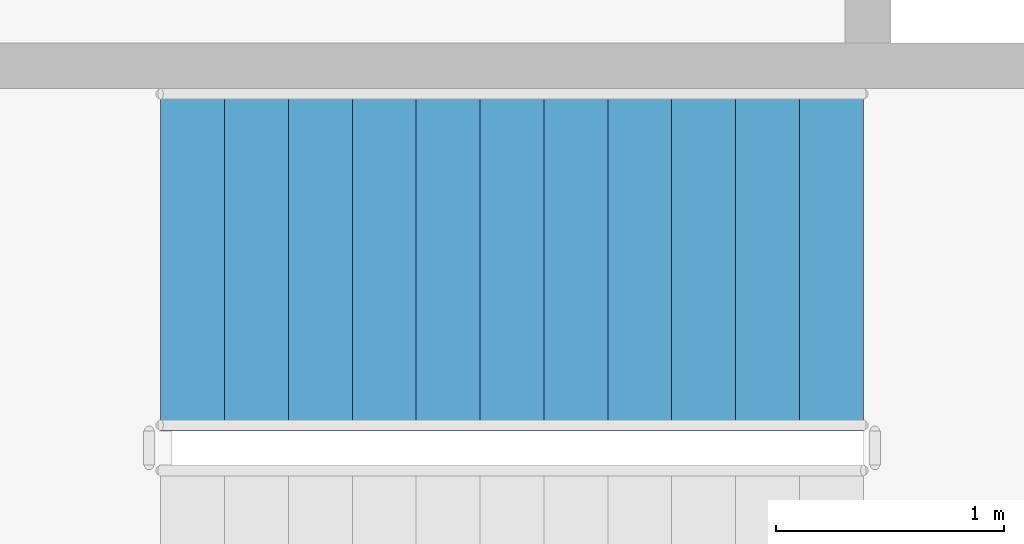
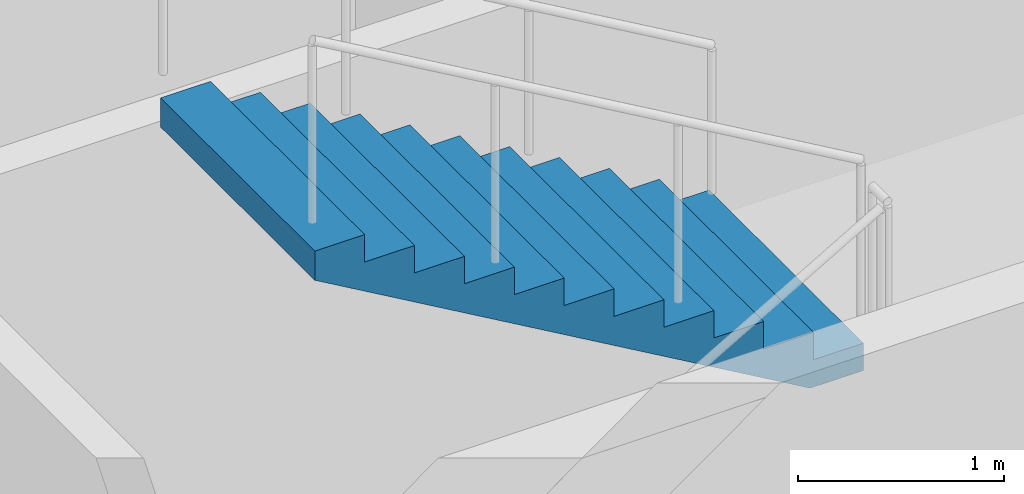
# One storey, part 80 of 95: 1 stair flight, 1 element without a shape of its own.
"""IFC4 building model written with IfcOpenShell, lengths in metres."""

import ifcopenshell
import ifcopenshell.guid

model = None  # the IFC model being written
_history = None  # IfcOwnerHistory: only IFC2X3 demands one
_inside = {}  # id of a spatial element -> (the spatial element, [elements in it])
_under = {}  # id of a project, library or spatial element -> (it, [spatial elements below it])
_declared = {}  # id of a project -> (the project, [libraries it declares])
_typed = {}  # id of a type object -> (the type object, [elements of that type])
_made_of = {}  # id of a material, layer set ... -> (it, [elements and type objects made of it])


def new_model(schema):
    """Start an empty IFC model of exactly this schema.

    Asked for "IFC4X3", IfcOpenShell would pick the latest addendum, in which some entities
    have other attributes; the version numbers below select the first issue.
    IFC2X3 requires an IfcOwnerHistory on every rooted entity: one is made here for all.
    """
    global model, _history
    if schema == "IFC4X3":
        model = ifcopenshell.file(schema_version=(4, 3, 0, 0))
    else:
        model = ifcopenshell.file(schema=schema)
    _inside.clear()
    _under.clear()
    _declared.clear()
    _typed.clear()
    _made_of.clear()
    _history = None
    if model.schema == "IFC2X3":
        org = make("IfcOrganization", Name="unknown")
        user = make(
            "IfcPersonAndOrganization",
            ThePerson=make("IfcPerson", FamilyName="unknown"),
            TheOrganization=org,
        )
        app = make(
            "IfcApplication",
            ApplicationDeveloper=org,
            Version="unknown",
            ApplicationFullName="unknown",
            ApplicationIdentifier="unknown",
        )
        _history = make(
            "IfcOwnerHistory",
            OwningUser=user,
            OwningApplication=app,
            ChangeAction="ADDED",
            CreationDate=0,
        )
    return model


def make(cls, **values):
    """One entity of the class cls with the attributes given. An attribute that is None is left unset."""
    return model.create_entity(
        cls, **{name: value for name, value in values.items() if value is not None}
    )


def rooted(cls, **values):
    """An entity with a GlobalId (a new one), such as an element, a storey or a relation."""
    return make(cls, GlobalId=ifcopenshell.guid.new(), OwnerHistory=_history, **values)


def si_unit(unit_type, name, prefix=None):
    """IfcSIUnit, for example si_unit("LENGTHUNIT", "METRE", prefix="MILLI")."""
    return make("IfcSIUnit", UnitType=unit_type, Prefix=prefix, Name=name)


def assignment(units):
    """IfcUnitAssignment: the units of a project."""
    return None if units is None else make("IfcUnitAssignment", Units=units)


def point(xyz):
    """IfcCartesianPoint."""
    return None if xyz is None else make("IfcCartesianPoint", Coordinates=xyz)


def direction(xyz):
    """IfcDirection."""
    return None if xyz is None else make("IfcDirection", DirectionRatios=xyz)


def frame(location, z_axis=None, x_axis=None):
    """IfcAxis2Placement3D, a coordinate frame: its origin and axes. An axis left out is left unset."""
    return make(
        "IfcAxis2Placement3D",
        Location=point(location),
        Axis=direction(z_axis),
        RefDirection=direction(x_axis),
    )


def origin():
    """The frame at (0, 0, 0) with its axes left unset."""
    return frame((0.0, 0.0, 0.0))


def place(relative_to, where):
    """IfcLocalPlacement: puts the frame where relative to a parent placement (None: the world)."""
    return make(
        "IfcLocalPlacement", PlacementRelTo=relative_to, RelativePlacement=where
    )


def context(
    kind, dimensions, precision=None, world=None, true_north=None, identifier=None
):
    """IfcGeometricRepresentationContext, for example the 3D "Model" context."""
    return make(
        "IfcGeometricRepresentationContext",
        ContextIdentifier=identifier,
        ContextType=kind,
        CoordinateSpaceDimension=dimensions,
        Precision=precision,
        WorldCoordinateSystem=world,
        TrueNorth=true_north,
    )


def subcontext(parent, identifier, kind, view, scale=None):
    """IfcGeometricRepresentationSubContext, for example "Body" below "Model"."""
    return make(
        "IfcGeometricRepresentationSubContext",
        ContextIdentifier=identifier,
        ContextType=kind,
        ParentContext=parent,
        TargetScale=scale,
        TargetView=view,
    )


def project(units=None, contexts=None):
    """IfcProject with its units and contexts."""
    return rooted(
        "IfcProject",
        Name="project",
        RepresentationContexts=contexts,
        UnitsInContext=assignment(units),
    )


def spatial(cls, under=None, at=None, **own):
    """A site, building, storey or space (cls), placed at a placement, below another one or the project."""
    s = rooted(cls, ObjectPlacement=at, **own)
    if under is not None:
        _under.setdefault(under.id(), (under, []))[1].append(s)
    return s


def point_list(points):
    """IfcCartesianPointList2D or 3D."""
    cls = (
        "IfcCartesianPointList2D" if len(points[0]) == 2 else "IfcCartesianPointList3D"
    )
    return make(cls, CoordList=points)


def triangles(points, corners, closed=None, point_numbers=None):
    """IfcTriangulatedFaceSet: each triangle names its three corners, points numbered from 1."""
    return make(
        "IfcTriangulatedFaceSet",
        Coordinates=point_list(points),
        Closed=closed,
        CoordIndex=corners,
        PnIndex=point_numbers,
    )


def shape(context_of_items, identifier, shape_type, items):
    """IfcShapeRepresentation: the items that make up one representation, for example the "Body"."""
    return make(
        "IfcShapeRepresentation",
        ContextOfItems=context_of_items,
        RepresentationIdentifier=identifier,
        RepresentationType=shape_type,
        Items=items,
    )


def material(Name=None, Category=None):
    """IfcMaterial."""
    return make("IfcMaterial", Name=Name, Category=Category)


def made_of(thing, what):
    """Note that an element or type object is made of a material, layer set ...; save() writes the relation."""
    if what is not None:
        _made_of.setdefault(what.id(), (what, []))[1].append(thing)
    return thing


def type_object(cls, material=None, **own):
    """A type object (cls), such as IfcWallType, which elements share."""
    return made_of(rooted(cls, **own), material)


def element(
    cls,
    number,
    at=None,
    inside=None,
    cuts=None,
    type_object=None,
    material=None,
    context=None,
    identifier="Body",
    shape_type=None,
    held_by="IfcProductDefinitionShape",
    body=None,
    shapes=None,
    **own,
):
    """One element of the class cls, such as IfcWall. Its Tag is "e" and its number.

    at: its placement. inside: the storey or other place that contains it. cuts: it is an
    opening in that element (IfcRelVoidsElement). A single representation is given by context,
    identifier, shape_type and body (its items); several are given by shapes. held_by: the class
    of the entity that holds the representations. save() writes the other relations.
    """
    e = rooted(cls, Tag="e%d" % number, ObjectPlacement=at, **own)
    if body is not None:
        shapes = [shape(context, identifier, shape_type, body)]
    if shapes is not None:
        e.Representation = make(held_by, Representations=shapes)
    if inside is not None:
        _inside.setdefault(inside.id(), (inside, []))[1].append(e)
    if cuts is not None:
        rooted(
            "IfcRelVoidsElement", RelatingBuildingElement=cuts, RelatedOpeningElement=e
        )
    if type_object is not None:
        _typed.setdefault(type_object.id(), (type_object, []))[1].append(e)
    return made_of(e, material)


def aggregate(whole, parts):
    """IfcRelAggregates: a whole, such as a stair, and the parts it consists of."""
    return rooted("IfcRelAggregates", RelatingObject=whole, RelatedObjects=parts)


def save(model, path):
    """Write the relations noted so far, then the file.

    IfcRelAggregates (storeys below a building ...), IfcRelContainedInSpatialStructure (elements
    in a storey), IfcRelDefinesByType, IfcRelAssociatesMaterial and IfcRelDeclares: one each for
    every whole, place, type object, material and project.
    """
    for whole, parts in _under.values():
        aggregate(whole, parts)
    for where, things in _inside.values():
        rooted(
            "IfcRelContainedInSpatialStructure",
            RelatedElements=things,
            RelatingStructure=where,
        )
    for kind, things in _typed.values():
        rooted("IfcRelDefinesByType", RelatedObjects=things, RelatingType=kind)
    for what, things in _made_of.values():
        rooted("IfcRelAssociatesMaterial", RelatedObjects=things, RelatingMaterial=what)
    for by, libraries in _declared.values():
        rooted("IfcRelDeclares", RelatingContext=by, RelatedDefinitions=libraries)
    model.write(path)


model = new_model("IFC4")

# Units and contexts
model_context = context("Model", 3, precision=1e-05, world=origin(), true_north=direction((0.0, 1.0)))
body_context = subcontext(model_context, "Body", "Model", "MODEL_VIEW")
ifc_project = project(units=[si_unit("LENGTHUNIT", "METRE"), si_unit("AREAUNIT", "SQUARE_METRE"), si_unit("VOLUMEUNIT", "CUBIC_METRE"), si_unit("PLANEANGLEUNIT", "RADIAN"), si_unit("MASSUNIT", "GRAM", prefix="KILO")], contexts=[model_context])

# Site, building, storey
site_placement = place(None, origin())
site = spatial("IfcSite", under=ifc_project, at=site_placement, CompositionType="ELEMENT")
building_placement = place(site_placement, origin())
building = spatial("IfcBuilding", under=site, at=building_placement, Name="Magnolia Steps Interchange", CompositionType="ELEMENT")
storey_placement = place(building_placement, frame((0.0, 0.0, 4.800048828125)))
storey = spatial("IfcBuildingStorey", under=building, at=storey_placement, Name="L01", CompositionType="ELEMENT", Elevation=4.800048828125)

# Stair, stair flight
ifc_material_1 = material(Name="Concrete C40", Category="concrete")
stair_type = type_object("IfcStairType", Name="Exit stair 1500", PredefinedType="HALF_TURN_STAIR", material=ifc_material_1)
stair_placement = place(storey_placement, origin())
stair = element("IfcStair", 1, at=stair_placement, inside=storey, type_object=stair_type, Name="L01 Stair 4", PredefinedType="HALF_TURN_STAIR")
ifc_material_2 = material(Name="Concrete C40", Category="concrete")
stair_flight_type = type_object("IfcStairFlightType", Name="Exit stair flight", PredefinedType="STRAIGHT", material=ifc_material_2)
stair_flight_placement = place(storey_placement, frame((115.280029296875, 77.699951171875, 1.949951171875), z_axis=(0.0, 0.0, 1.0), x_axis=(-1.0, 0.0, 0.0)))
stair_flight = element("IfcStairFlight", 2, at=stair_flight_placement, type_object=stair_flight_type, Name="Stair 4 flight 2", NumberOfRisers=12, NumberOfTreads=11, PredefinedType="STRAIGHT", RiserHeight=0.1625, TreadLength=0.28, context=body_context, shape_type="Tessellation", body=[
    triangles([(0.0, -0.75, 0.0), (0.298583984375, -0.75, 0.0), (3.080078125, -0.75, 1.6142578125), (3.080078125, -0.75, 1.78759765625), (2.800048828125, -0.75, 1.78759765625), (2.800048828125, -0.75, 1.625), (2.52001953125, -0.75, 1.625), (2.52001953125, -0.75, 1.46240234375), (2.239990234375, -0.75, 1.46240234375), (2.239990234375, -0.75, 1.300048828125), (1.9599609375, -0.75, 1.300048828125), (1.9599609375, -0.75, 1.137451171875), (1.679931640625, -0.75, 1.137451171875), (1.679931640625, -0.75, 0.97509765625), (1.39990234375, -0.75, 0.97509765625), (1.39990234375, -0.75, 0.8125), (1.1201171875, -0.75, 0.8125), (1.1201171875, -0.75, 0.64990234375), (0.840087890625, -0.75, 0.64990234375), (0.840087890625, -0.75, 0.487548828125), (0.56005859375, -0.75, 0.487548828125), (0.56005859375, -0.75, 0.324951171875), (0.280029296875, -0.75, 0.324951171875), (0.280029296875, -0.75, 0.16259765625), (0.0, -0.75, 0.16259765625), (0.0, 0.75, 0.0), (0.298583984375, 0.75, 0.0), (3.080078125, 0.75, 1.6142578125), (3.080078125, 0.75, 1.78759765625), (2.800048828125, 0.75, 1.78759765625), (2.800048828125, 0.75, 1.625), (2.52001953125, 0.75, 1.625), (2.52001953125, 0.75, 1.46240234375), (2.239990234375, 0.75, 1.46240234375), (2.239990234375, 0.75, 1.300048828125), (1.9599609375, 0.75, 1.300048828125), (1.9599609375, 0.75, 1.137451171875), (1.679931640625, 0.75, 1.137451171875), (1.679931640625, 0.75, 0.97509765625), (1.39990234375, 0.75, 0.97509765625), (1.39990234375, 0.75, 0.8125), (1.1201171875, 0.75, 0.8125), (1.1201171875, 0.75, 0.64990234375), (0.840087890625, 0.75, 0.64990234375), (0.840087890625, 0.75, 0.487548828125), (0.56005859375, 0.75, 0.487548828125), (0.56005859375, 0.75, 0.324951171875), (0.280029296875, 0.75, 0.324951171875), (0.280029296875, 0.75, 0.16259765625), (0.0, 0.75, 0.16259765625), (0.0, 0.0, 0.0), (0.0, 0.0, 0.0406494140625), (0.0, 0.0, 0.081298828125), (0.0, 0.0, 0.1219482421875), (0.0, 0.0, 0.16259765625), (0.0, -0.05, 0.0), (0.0, -0.05, 0.16259765625), (0.0, 0.05, 0.0), (0.0, 0.05, 0.16259765625), (0.046671549479166664, 0.0, 0.16259765625), (0.09334309895833333, 0.0, 0.16259765625), (0.1400146484375, 0.0, 0.16259765625), (0.18668619791666666, 0.0, 0.16259765625), (0.23335774739583334, 0.0, 0.16259765625), (0.280029296875, 0.0, 0.16259765625), (0.280029296875, -0.05, 0.16259765625), (0.280029296875, 0.05, 0.16259765625), (0.280029296875, 0.0, 0.20318603515625), (0.280029296875, 0.0, 0.2437744140625), (0.280029296875, 0.0, 0.28436279296875), (0.280029296875, 0.0, 0.324951171875), (0.280029296875, -0.05, 0.324951171875), (0.280029296875, 0.05, 0.324951171875), (0.3267008463541667, 0.0, 0.324951171875), (0.3733723958333333, 0.0, 0.324951171875), (0.4200439453125, 0.0, 0.324951171875), (0.46671549479166663, 0.0, 0.324951171875), (0.5133870442708334, 0.0, 0.324951171875), (0.56005859375, 0.0, 0.324951171875), (0.56005859375, -0.05, 0.324951171875), (0.56005859375, 0.05, 0.324951171875), (0.56005859375, 0.0, 0.3656005859375), (0.56005859375, 0.0, 0.40625), (0.56005859375, 0.0, 0.4468994140625), (0.56005859375, 0.0, 0.487548828125), (0.56005859375, -0.05, 0.487548828125), (0.56005859375, 0.05, 0.487548828125), (0.6067301432291666, 0.0, 0.487548828125), (0.6534016927083334, 0.0, 0.487548828125), (0.7000732421875, 0.0, 0.487548828125), (0.7467447916666666, 0.0, 0.487548828125), (0.7934163411458334, 0.0, 0.487548828125), (0.840087890625, 0.0, 0.487548828125), (0.840087890625, -0.05, 0.487548828125), (0.840087890625, 0.05, 0.487548828125), (0.840087890625, 0.0, 0.52813720703125), (0.840087890625, 0.0, 0.5687255859375), (0.840087890625, 0.0, 0.60931396484375), (0.840087890625, 0.0, 0.64990234375), (0.840087890625, -0.05, 0.64990234375), (0.840087890625, 0.05, 0.64990234375), (0.8867594401041666, 0.0, 0.64990234375), (0.9334309895833334, 0.0, 0.64990234375), (0.9801025390625, 0.0, 0.64990234375), (1.0267740885416667, 0.0, 0.64990234375), (1.0734456380208333, 0.0, 0.64990234375), (1.1201171875, 0.0, 0.64990234375), (1.1201171875, -0.05, 0.64990234375), (1.1201171875, 0.05, 0.64990234375), (1.1201171875, 0.0, 0.6905517578125), (1.1201171875, 0.0, 0.731201171875), (1.1201171875, 0.0, 0.7718505859375), (1.1201171875, 0.0, 0.8125), (1.1201171875, -0.05, 0.8125), (1.1201171875, 0.05, 0.8125), (1.1900634765625, 0.0, 0.8125), (1.260009765625, 0.0, 0.8125), (1.3299560546875, 0.0, 0.8125), (1.39990234375, 0.0, 0.8125), (1.39990234375, -0.05, 0.8125), (1.39990234375, 0.05, 0.8125), (1.39990234375, 0.0, 0.8531494140625), (1.39990234375, 0.0, 0.893798828125), (1.39990234375, 0.0, 0.9344482421875), (1.39990234375, 0.0, 0.97509765625), (1.39990234375, -0.05, 0.97509765625), (1.39990234375, 0.05, 0.97509765625), (1.4465738932291667, 0.0, 0.97509765625), (1.4932454427083333, 0.0, 0.97509765625), (1.5399169921875, 0.0, 0.97509765625), (1.5865885416666667, 0.0, 0.97509765625), (1.6332600911458333, 0.0, 0.97509765625), (1.679931640625, 0.0, 0.97509765625), (1.679931640625, -0.05, 0.97509765625), (1.679931640625, 0.05, 0.97509765625), (1.679931640625, 0.0, 1.01568603515625), (1.679931640625, 0.0, 1.0562744140625), (1.679931640625, 0.0, 1.09686279296875), (1.679931640625, 0.0, 1.137451171875), (1.679931640625, -0.05, 1.137451171875), (1.679931640625, 0.05, 1.137451171875), (1.7266031901041667, 0.0, 1.137451171875), (1.7732747395833333, 0.0, 1.137451171875), (1.8199462890625, 0.0, 1.137451171875), (1.8666178385416667, 0.0, 1.137451171875), (1.9132893880208333, 0.0, 1.137451171875), (1.9599609375, 0.0, 1.137451171875), (1.9599609375, -0.05, 1.137451171875), (1.9599609375, 0.05, 1.137451171875), (1.9599609375, 0.0, 1.1781005859375), (1.9599609375, 0.0, 1.21875), (1.9599609375, 0.0, 1.2593994140625), (1.9599609375, 0.0, 1.300048828125), (1.9599609375, -0.05, 1.300048828125), (1.9599609375, 0.05, 1.300048828125), (2.0066324869791665, 0.0, 1.300048828125), (2.0533040364583335, 0.0, 1.300048828125), (2.0999755859375, 0.0, 1.300048828125), (2.1466471354166665, 0.0, 1.300048828125), (2.1933186848958335, 0.0, 1.300048828125), (2.239990234375, 0.0, 1.300048828125), (2.239990234375, -0.05, 1.300048828125), (2.239990234375, 0.05, 1.300048828125), (2.239990234375, 0.0, 1.34063720703125), (2.239990234375, 0.0, 1.3812255859375), (2.239990234375, 0.0, 1.42181396484375), (2.239990234375, 0.0, 1.46240234375), (2.239990234375, -0.05, 1.46240234375), (2.239990234375, 0.05, 1.46240234375), (2.2866617838541665, 0.0, 1.46240234375), (2.3333333333333335, 0.0, 1.46240234375), (2.3800048828125, 0.0, 1.46240234375), (2.4266764322916665, 0.0, 1.46240234375), (2.4733479817708335, 0.0, 1.46240234375), (2.52001953125, 0.0, 1.46240234375), (2.52001953125, -0.05, 1.46240234375), (2.52001953125, 0.05, 1.46240234375), (2.52001953125, 0.0, 1.5030517578125), (2.52001953125, 0.0, 1.543701171875), (2.52001953125, 0.0, 1.5843505859375), (2.52001953125, 0.0, 1.625), (2.52001953125, -0.05, 1.625), (2.52001953125, 0.05, 1.625), (2.5666910807291665, 0.0, 1.625), (2.6133626302083335, 0.0, 1.625), (2.6600341796875, 0.0, 1.625), (2.7067057291666665, 0.0, 1.625), (2.7533772786458335, 0.0, 1.625), (2.800048828125, 0.0, 1.625), (2.800048828125, -0.05, 1.625), (2.800048828125, 0.05, 1.625), (2.800048828125, 0.0, 1.6656494140625), (2.800048828125, 0.0, 1.706298828125), (2.800048828125, 0.0, 1.7469482421875), (2.800048828125, 0.0, 1.78759765625), (2.800048828125, -0.05, 1.78759765625), (2.800048828125, 0.05, 1.78759765625), (2.8467203776041665, 0.0, 1.78759765625), (2.8933919270833335, 0.0, 1.78759765625), (2.9400634765625, 0.0, 1.78759765625), (2.9867350260416665, 0.0, 1.78759765625), (3.0334065755208335, 0.0, 1.78759765625), (3.080078125, 0.0, 1.78759765625), (3.080078125, -0.05, 1.78759765625), (3.080078125, 0.05, 1.78759765625), (3.080078125, 0.0, 1.7442626953125), (3.080078125, 0.0, 1.700927734375), (3.080078125, 0.0, 1.6575927734375), (3.080078125, 0.0, 1.6142578125), (3.080078125, -0.05, 1.6142578125), (3.080078125, 0.05, 1.6142578125), (3.0196108610733696, 0.0, 1.5791652513586956), (2.9591435971467392, 0.0, 1.5440726902173914), (2.898676333220109, 0.0, 1.508980129076087), (2.8382090692934785, 0.0, 1.4738875679347827), (2.7777418053668477, 0.0, 1.4387950067934783), (2.7172745414402173, 0.0, 1.4037024456521738), (2.656807277513587, 0.0, 1.3686098845108696), (2.5963400135869565, 0.0, 1.3335173233695652), (2.535872749660326, 0.0, 1.2984247622282608), (2.475405485733696, 0.0, 1.2633322010869565), (2.4149382218070654, 0.0, 1.228239639945652), (2.3544709578804346, 0.0, 1.193147078804348), (2.294003693953804, 0.0, 1.1580545176630435), (2.233536430027174, 0.0, 1.1229619565217392), (2.1730691661005435, 0.0, 1.0878693953804348), (2.112601902173913, 0.0, 1.0527768342391304), (2.0521346382472827, 0.0, 1.0176842730978262), (1.991667374320652, 0.0, 0.9825917119565217), (1.9312001103940217, 0.0, 0.9474991508152174), (1.8707328464673914, 0.0, 0.9124065896739131), (1.810265582540761, 0.0, 0.8773140285326086), (1.7497983186141304, 0.0, 0.8422214673913043), (1.6893310546875, 0.0, 0.80712890625), (1.6288637907608696, 0.0, 0.7720363451086957), (1.568396526834239, 0.0, 0.7369437839673914), (1.5079292629076086, 0.0, 0.7018512228260869), (1.4474619989809783, 0.0, 0.6667586616847826), (1.386994735054348, 0.0, 0.6316661005434783), (1.3265274711277173, 0.0, 0.5965735394021738), (1.266060207201087, 0.0, 0.5614809782608696), (1.2055929432744565, 0.0, 0.5263884171195652), (1.1451256793478262, 0.0, 0.491295855978261), (1.0846584154211956, 0.0, 0.45620329483695654), (1.0241911514945654, 0.0, 0.4211107336956521), (0.9637238875679346, 0.0, 0.3860181725543479), (0.9032566236413042, 0.0, 0.35092561141304346), (0.8427893597146738, 0.0, 0.315833050271739), (0.7823220957880435, 0.0, 0.2807404891304348), (0.7218548318614131, 0.0, 0.24564792798913038), (0.6613875679347827, 0.0, 0.21055536684782616), (0.6009203040081523, 0.0, 0.17546280570652173), (0.540453040081522, 0.0, 0.1403702445652173), (0.47998577615489113, 0.0, 0.10527768342391308), (0.41951851222826075, 0.0, 0.07018512228260865), (0.3590512483016304, 0.0, 0.035092561141304435), (0.298583984375, 0.0, 0.0), (0.298583984375, -0.05, 0.0), (0.298583984375, 0.05, 0.0), (0.24881998697916666, 0.0, 0.0), (0.19905598958333331, 0.0, 0.0), (0.1492919921875, 0.0, 0.0), (0.09952799479166666, 0.0, 0.0), (0.04976399739583334, 0.0, 0.0)], [[1, 2, 3], [3, 4, 5], [3, 5, 6], [3, 6, 7], [3, 7, 8], [8, 9, 10], [3, 8, 10], [10, 11, 12], [3, 10, 12], [12, 13, 14], [3, 12, 14], [14, 15, 16], [3, 14, 16], [16, 17, 18], [3, 16, 18], [18, 19, 20], [3, 18, 20], [20, 21, 22], [3, 20, 22], [1, 3, 22], [22, 23, 24], [1, 22, 24], [24, 25, 1], [26, 28, 27], [28, 30, 29], [28, 31, 30], [28, 32, 31], [28, 33, 32], [33, 35, 34], [28, 35, 33], [35, 37, 36], [28, 37, 35], [37, 39, 38], [28, 39, 37], [39, 41, 40], [28, 41, 39], [41, 43, 42], [28, 43, 41], [43, 45, 44], [28, 45, 43], [45, 47, 46], [28, 47, 45], [26, 47, 28], [47, 49, 48], [26, 49, 47], [49, 26, 50], [1, 25, 57], [1, 57, 56], [56, 52, 51], [56, 53, 52], [56, 57, 53], [57, 54, 53], [57, 55, 54], [26, 59, 50], [26, 58, 59], [58, 51, 52], [58, 52, 53], [58, 53, 59], [59, 53, 54], [59, 54, 55], [25, 24, 66], [25, 66, 57], [57, 60, 55], [57, 61, 60], [57, 62, 61], [57, 66, 62], [66, 63, 62], [66, 64, 63], [66, 65, 64], [50, 67, 49], [50, 59, 67], [59, 55, 60], [59, 60, 61], [59, 61, 62], [59, 62, 67], [67, 62, 63], [67, 63, 64], [67, 64, 65], [24, 23, 72], [24, 72, 66], [66, 68, 65], [66, 69, 68], [66, 72, 69], [72, 70, 69], [72, 71, 70], [49, 73, 48], [49, 67, 73], [67, 65, 68], [67, 68, 69], [67, 69, 73], [73, 69, 70], [73, 70, 71], [23, 22, 80], [23, 80, 72], [72, 74, 71], [72, 75, 74], [72, 76, 75], [72, 80, 76], [80, 77, 76], [80, 78, 77], [80, 79, 78], [48, 81, 47], [48, 73, 81], [73, 71, 74], [73, 74, 75], [73, 75, 76], [73, 76, 81], [81, 76, 77], [81, 77, 78], [81, 78, 79], [22, 21, 86], [22, 86, 80], [80, 82, 79], [80, 83, 82], [80, 86, 83], [86, 84, 83], [86, 85, 84], [47, 87, 46], [47, 81, 87], [81, 79, 82], [81, 82, 83], [81, 83, 87], [87, 83, 84], [87, 84, 85], [21, 20, 94], [21, 94, 86], [86, 88, 85], [86, 89, 88], [86, 90, 89], [86, 94, 90], [94, 91, 90], [94, 92, 91], [94, 93, 92], [46, 95, 45], [46, 87, 95], [87, 85, 88], [87, 88, 89], [87, 89, 90], [87, 90, 95], [95, 90, 91], [95, 91, 92], [95, 92, 93], [20, 19, 100], [20, 100, 94], [94, 96, 93], [94, 97, 96], [94, 100, 97], [100, 98, 97], [100, 99, 98], [45, 101, 44], [45, 95, 101], [95, 93, 96], [95, 96, 97], [95, 97, 101], [101, 97, 98], [101, 98, 99], [19, 18, 108], [19, 108, 100], [100, 102, 99], [100, 103, 102], [100, 104, 103], [100, 108, 104], [108, 105, 104], [108, 106, 105], [108, 107, 106], [44, 109, 43], [44, 101, 109], [101, 99, 102], [101, 102, 103], [101, 103, 104], [101, 104, 109], [109, 104, 105], [109, 105, 106], [109, 106, 107], [18, 17, 114], [18, 114, 108], [108, 110, 107], [108, 111, 110], [108, 114, 111], [114, 112, 111], [114, 113, 112], [43, 115, 42], [43, 109, 115], [109, 107, 110], [109, 110, 111], [109, 111, 115], [115, 111, 112], [115, 112, 113], [17, 16, 120], [17, 120, 114], [114, 116, 113], [114, 117, 116], [114, 120, 117], [120, 118, 117], [120, 119, 118], [42, 121, 41], [42, 115, 121], [115, 113, 116], [115, 116, 117], [115, 117, 121], [121, 117, 118], [121, 118, 119], [16, 15, 126], [16, 126, 120], [120, 122, 119], [120, 123, 122], [120, 126, 123], [126, 124, 123], [126, 125, 124], [41, 127, 40], [41, 121, 127], [121, 119, 122], [121, 122, 123], [121, 123, 127], [127, 123, 124], [127, 124, 125], [15, 14, 134], [15, 134, 126], [126, 128, 125], [126, 129, 128], [126, 130, 129], [126, 134, 130], [134, 131, 130], [134, 132, 131], [134, 133, 132], [40, 135, 39], [40, 127, 135], [127, 125, 128], [127, 128, 129], [127, 129, 130], [127, 130, 135], [135, 130, 131], [135, 131, 132], [135, 132, 133], [14, 13, 140], [14, 140, 134], [134, 136, 133], [134, 137, 136], [134, 140, 137], [140, 138, 137], [140, 139, 138], [39, 141, 38], [39, 135, 141], [135, 133, 136], [135, 136, 137], [135, 137, 141], [141, 137, 138], [141, 138, 139], [13, 12, 148], [13, 148, 140], [140, 142, 139], [140, 143, 142], [140, 144, 143], [140, 148, 144], [148, 145, 144], [148, 146, 145], [148, 147, 146], [38, 149, 37], [38, 141, 149], [141, 139, 142], [141, 142, 143], [141, 143, 144], [141, 144, 149], [149, 144, 145], [149, 145, 146], [149, 146, 147], [12, 11, 154], [12, 154, 148], [148, 150, 147], [148, 151, 150], [148, 154, 151], [154, 152, 151], [154, 153, 152], [37, 155, 36], [37, 149, 155], [149, 147, 150], [149, 150, 151], [149, 151, 155], [155, 151, 152], [155, 152, 153], [11, 10, 162], [11, 162, 154], [154, 156, 153], [154, 157, 156], [154, 158, 157], [154, 162, 158], [162, 159, 158], [162, 160, 159], [162, 161, 160], [36, 163, 35], [36, 155, 163], [155, 153, 156], [155, 156, 157], [155, 157, 158], [155, 158, 163], [163, 158, 159], [163, 159, 160], [163, 160, 161], [10, 9, 168], [10, 168, 162], [162, 164, 161], [162, 165, 164], [162, 168, 165], [168, 166, 165], [168, 167, 166], [35, 169, 34], [35, 163, 169], [163, 161, 164], [163, 164, 165], [163, 165, 169], [169, 165, 166], [169, 166, 167], [9, 8, 176], [9, 176, 168], [168, 170, 167], [168, 171, 170], [168, 172, 171], [168, 176, 172], [176, 173, 172], [176, 174, 173], [176, 175, 174], [34, 177, 33], [34, 169, 177], [169, 167, 170], [169, 170, 171], [169, 171, 172], [169, 172, 177], [177, 172, 173], [177, 173, 174], [177, 174, 175], [8, 7, 182], [8, 182, 176], [176, 178, 175], [176, 179, 178], [176, 182, 179], [182, 180, 179], [182, 181, 180], [33, 183, 32], [33, 177, 183], [177, 175, 178], [177, 178, 179], [177, 179, 183], [183, 179, 180], [183, 180, 181], [7, 6, 190], [7, 190, 182], [182, 184, 181], [182, 185, 184], [182, 186, 185], [182, 190, 186], [190, 187, 186], [190, 188, 187], [190, 189, 188], [32, 191, 31], [32, 183, 191], [183, 181, 184], [183, 184, 185], [183, 185, 186], [183, 186, 191], [191, 186, 187], [191, 187, 188], [191, 188, 189], [6, 5, 196], [6, 196, 190], [190, 192, 189], [190, 193, 192], [190, 196, 193], [196, 194, 193], [196, 195, 194], [31, 197, 30], [31, 191, 197], [191, 189, 192], [191, 192, 193], [191, 193, 197], [197, 193, 194], [197, 194, 195], [5, 4, 204], [5, 204, 196], [196, 198, 195], [196, 199, 198], [196, 200, 199], [196, 204, 200], [204, 201, 200], [204, 202, 201], [204, 203, 202], [30, 205, 29], [30, 197, 205], [197, 195, 198], [197, 198, 199], [197, 199, 200], [197, 200, 205], [205, 200, 201], [205, 201, 202], [205, 202, 203], [4, 3, 210], [4, 210, 204], [204, 206, 203], [204, 207, 206], [204, 210, 207], [210, 208, 207], [210, 209, 208], [29, 211, 28], [29, 205, 211], [205, 203, 206], [205, 206, 207], [205, 207, 211], [211, 207, 208], [211, 208, 209], [3, 2, 258], [3, 258, 210], [210, 212, 209], [210, 213, 212], [210, 214, 213], [210, 215, 214], [210, 216, 215], [210, 217, 216], [210, 218, 217], [210, 219, 218], [210, 220, 219], [210, 221, 220], [210, 222, 221], [210, 223, 222], [210, 224, 223], [210, 225, 224], [210, 226, 225], [210, 227, 226], [210, 228, 227], [210, 229, 228], [210, 230, 229], [210, 231, 230], [210, 232, 231], [210, 233, 232], [210, 234, 233], [210, 258, 234], [258, 235, 234], [258, 236, 235], [258, 237, 236], [258, 238, 237], [258, 239, 238], [258, 240, 239], [258, 241, 240], [258, 242, 241], [258, 243, 242], [258, 244, 243], [258, 245, 244], [258, 246, 245], [258, 247, 246], [258, 248, 247], [258, 249, 248], [258, 250, 249], [258, 251, 250], [258, 252, 251], [258, 253, 252], [258, 254, 253], [258, 255, 254], [258, 256, 255], [258, 257, 256], [28, 259, 27], [28, 211, 259], [211, 209, 212], [211, 212, 213], [211, 213, 214], [211, 214, 215], [211, 215, 216], [211, 216, 217], [211, 217, 218], [211, 218, 219], [211, 219, 220], [211, 220, 221], [211, 221, 222], [211, 222, 223], [211, 223, 224], [211, 224, 225], [211, 225, 226], [211, 226, 227], [211, 227, 228], [211, 228, 229], [211, 229, 230], [211, 230, 231], [211, 231, 232], [211, 232, 233], [211, 233, 234], [211, 234, 259], [259, 234, 235], [259, 235, 236], [259, 236, 237], [259, 237, 238], [259, 238, 239], [259, 239, 240], [259, 240, 241], [259, 241, 242], [259, 242, 243], [259, 243, 244], [259, 244, 245], [259, 245, 246], [259, 246, 247], [259, 247, 248], [259, 248, 249], [259, 249, 250], [259, 250, 251], [259, 251, 252], [259, 252, 253], [259, 253, 254], [259, 254, 255], [259, 255, 256], [259, 256, 257], [2, 1, 56], [2, 56, 258], [258, 260, 257], [258, 261, 260], [258, 262, 261], [258, 56, 262], [56, 263, 262], [56, 264, 263], [56, 51, 264], [27, 58, 26], [27, 259, 58], [259, 257, 260], [259, 260, 261], [259, 261, 262], [259, 262, 58], [58, 262, 263], [58, 263, 264], [58, 264, 51]], closed=True),
])
aggregate(stair, [stair_flight])

save(model, "model.ifc")
